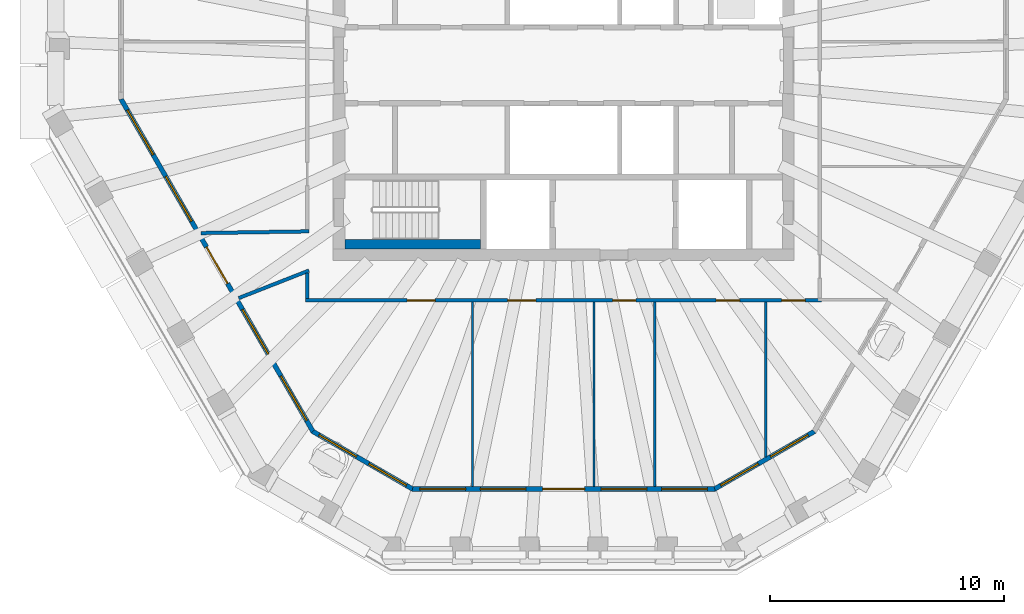
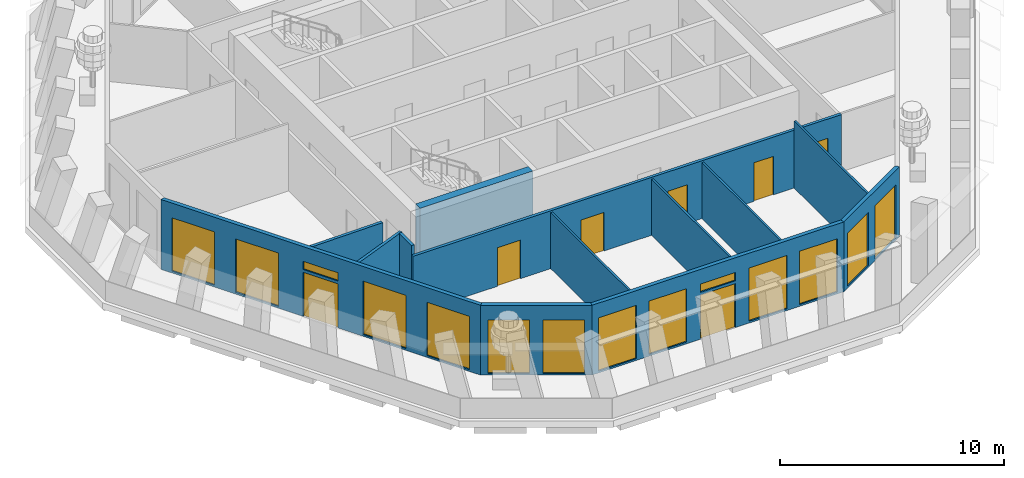
# One storey, part 3 of 11: 14 windows, 13 walls, 7 doors, 21 openings.
"""IFC4 building model written with IfcOpenShell, lengths in metres."""

from ifc_helpers import new_model, si_unit, direction, frame, frame_2d, origin, place, context, subcontext, project, spatial, polyline, rectangle, outline, extrude, material, layer, layer_set, type_object, element, fill, save


model = new_model("IFC4")

# Units and contexts
model_context = context("Model", 3, precision=1e-05, world=origin(), true_north=direction((0.0, 1.0)))
body_context = subcontext(model_context, "Body", "Model", "MODEL_VIEW")
ifc_project = project(units=[si_unit("LENGTHUNIT", "METRE"), si_unit("AREAUNIT", "SQUARE_METRE"), si_unit("VOLUMEUNIT", "CUBIC_METRE"), si_unit("PLANEANGLEUNIT", "RADIAN"), si_unit("MASSUNIT", "GRAM", prefix="KILO")], contexts=[model_context])

# Site, building, storey
site_placement = place(None, origin())
site = spatial("IfcSite", under=ifc_project, at=site_placement, CompositionType="ELEMENT")
building_placement = place(site_placement, origin())
building = spatial("IfcBuilding", under=site, at=building_placement, Name="Frailejon Research Tower", CompositionType="ELEMENT")
storey_placement = place(building_placement, frame((0.0, 0.0, 340.60009765625)))
storey = spatial("IfcBuildingStorey", under=building, at=storey_placement, Name="L76", CompositionType="ELEMENT", Elevation=340.60009765625)

# Wall
ifc_material_1 = material(Name="Gypsum board and masonry partition", Category="masonry")
ifc_layer_1 = layer(ifc_material_1, 0.14990234375)
ifc_layer_set_1 = layer_set([ifc_layer_1], Name="Corridor wall EI 60, gypsum on steel studs 150")
wall_type_1 = type_object("IfcWallType", Name="Corridor wall EI 60, gypsum on steel studs 150", PredefinedType="PARTITIONING", material=ifc_layer_set_1)
wall_1_placement = place(storey_placement, frame((-10.949951171875, -9.97509765625, 0.0), z_axis=(0.0, 0.0, 1.0), x_axis=(0.0, 1.0, 0.0)))
element("IfcWall", 1, at=wall_1_placement, inside=storey, type_object=wall_type_1, Name="T:IW:L76:006", PredefinedType="PARTITIONING", context=body_context, shape_type="SweptSolid", body=[
    extrude(rectangle(XDim=1.10009765625, YDim=0.14990234375, at=frame_2d((0.550048828125, 0.0))), origin(), (0.0, 0.0, 1.0), 3.64990234375),
])

# Wall, openings, doors
wall_2_placement = place(storey_placement, frame((-11.02490234375, -10.050048828125, 0.0), z_axis=(0.0, 0.0, 1.0), x_axis=(1.0, 0.0, 0.0)))
wall_2 = element("IfcWall", 2, at=wall_2_placement, inside=storey, type_object=wall_type_1, Name="T:IW:L76:008", PredefinedType="PARTITIONING", context=body_context, shape_type="SweptSolid", body=[
    extrude(rectangle(XDim=22.0498046875, YDim=0.14990234375, at=frame_2d((11.02490234375, 0.0))), origin(), (0.0, 0.0, 1.0), 3.14990234375),
])
opening_1_placement = place(wall_2_placement, frame((4.3369140625, 0.0, 0.0)))
opening_1 = element("IfcOpeningElement", 3, at=opening_1_placement, cuts=wall_2, Name="Opening D2424", PredefinedType="OPENING", context=body_context, shape_type="SweptSolid", body=[
    extrude(rectangle(XDim=1.199951171875, YDim=2.10009765625, at=frame_2d((0.60009765625, 1.050048828125))), frame((0.0, 0.0849609375, 0.0), z_axis=(0.0, -1.0, 0.0), x_axis=(1.0, 0.0, 0.0)), (0.0, 0.0, 1.0), 0.169921875),
])
opening_2_placement = place(wall_2_placement, frame((8.635498046875, 0.0, 0.0)))
opening_2 = element("IfcOpeningElement", 4, at=opening_2_placement, cuts=wall_2, Name="Opening D2425", PredefinedType="OPENING", context=body_context, shape_type="SweptSolid", body=[
    extrude(rectangle(XDim=1.199951171875, YDim=2.10009765625, at=frame_2d((0.60009765625, 1.050048828125))), frame((0.0, 0.0849609375, 0.0), z_axis=(0.0, -1.0, 0.0), x_axis=(1.0, 0.0, 0.0)), (0.0, 0.0, 1.0), 0.169921875),
])
opening_3_placement = place(wall_2_placement, frame((13.118408203125, 0.0, 0.0)))
opening_3 = element("IfcOpeningElement", 5, at=opening_3_placement, cuts=wall_2, Name="Opening D2426", PredefinedType="OPENING", context=body_context, shape_type="SweptSolid", body=[
    extrude(rectangle(XDim=1.0, YDim=2.10009765625, at=frame_2d((0.5, 1.050048828125))), frame((0.0, 0.0849609375, 0.0), z_axis=(0.0, -1.0, 0.0), x_axis=(1.0, 0.0, 0.0)), (0.0, 0.0, 1.0), 0.169921875),
])
opening_4_placement = place(wall_2_placement, frame((17.54736328125, 0.0, 0.0)))
opening_4 = element("IfcOpeningElement", 6, at=opening_4_placement, cuts=wall_2, Name="Opening D2427", PredefinedType="OPENING", context=body_context, shape_type="SweptSolid", body=[
    extrude(rectangle(XDim=1.0, YDim=2.10009765625, at=frame_2d((0.5, 1.050048828125))), frame((0.0, 0.0849609375, 0.0), z_axis=(0.0, -1.0, 0.0), x_axis=(1.0, 0.0, 0.0)), (0.0, 0.0, 1.0), 0.169921875),
])
opening_5_placement = place(wall_2_placement, frame((20.345703125, 0.0, 0.0)))
opening_5 = element("IfcOpeningElement", 7, at=opening_5_placement, cuts=wall_2, Name="Opening D2428", PredefinedType="OPENING", context=body_context, shape_type="SweptSolid", body=[
    extrude(rectangle(XDim=1.0, YDim=2.10009765625, at=frame_2d((0.5, 1.050048828125))), frame((0.0, 0.0849609375, 0.0), z_axis=(0.0, -1.0, 0.0), x_axis=(1.0, 0.0, 0.0)), (0.0, 0.0, 1.0), 0.169921875),
])
ifc_material_2 = material(Name="Timber door leaf", Category="wood")
door_type_1 = type_object("IfcDoorType", Name="Door single leaf, timber, steel frame 1000", OperationType="NOTDEFINED", PredefinedType="DOOR", material=ifc_material_2)
door_1_placement = place(opening_3_placement, origin())
door_1 = element("IfcDoor", 8, at=door_1_placement, inside=storey, type_object=door_type_1, Name="D2426", OperationType="SINGLE_SWING_LEFT", OverallHeight=2.10009765625, OverallWidth=1.0, PredefinedType="DOOR", context=body_context, shape_type="SweptSolid", body=[
    extrude(rectangle(XDim=1.0, YDim=2.10009765625, at=frame_2d((0.5, 1.050048828125))), frame((0.0, 0.02490234375, 0.0), z_axis=(0.0, -1.0, 0.0), x_axis=(1.0, 0.0, 0.0)), (0.0, 0.0, 1.0), 0.050048828125),
])
fill(opening_3, door_1)
door_2_placement = place(opening_4_placement, origin())
door_2 = element("IfcDoor", 9, at=door_2_placement, inside=storey, type_object=door_type_1, Name="D2427", OperationType="SINGLE_SWING_LEFT", OverallHeight=2.10009765625, OverallWidth=1.0, PredefinedType="DOOR", context=body_context, shape_type="SweptSolid", body=[
    extrude(rectangle(XDim=1.0, YDim=2.10009765625, at=frame_2d((0.5, 1.050048828125))), frame((0.0, 0.02490234375, 0.0), z_axis=(0.0, -1.0, 0.0), x_axis=(1.0, 0.0, 0.0)), (0.0, 0.0, 1.0), 0.050048828125),
])
fill(opening_4, door_2)
door_3_placement = place(opening_5_placement, origin())
door_3 = element("IfcDoor", 10, at=door_3_placement, inside=storey, type_object=door_type_1, Name="D2428", OperationType="SINGLE_SWING_RIGHT", OverallHeight=2.10009765625, OverallWidth=1.0, PredefinedType="DOOR", context=body_context, shape_type="SweptSolid", body=[
    extrude(rectangle(XDim=1.0, YDim=2.10009765625, at=frame_2d((0.5, 1.050048828125))), frame((0.0, 0.02490234375, 0.0), z_axis=(0.0, -1.0, 0.0), x_axis=(1.0, 0.0, 0.0)), (0.0, 0.0, 1.0), 0.050048828125),
])
fill(opening_5, door_3)
ifc_material_3 = material(Name="Timber door leaf", Category="wood")
door_type_2 = type_object("IfcDoorType", Name="Door single leaf, timber, steel frame 1200", OperationType="NOTDEFINED", PredefinedType="DOOR", material=ifc_material_3)
door_4_placement = place(opening_1_placement, origin())
door_4 = element("IfcDoor", 11, at=door_4_placement, inside=storey, type_object=door_type_2, Name="D2424", OperationType="DOUBLE_DOOR_SINGLE_SWING", OverallHeight=2.10009765625, OverallWidth=1.199951171875, PredefinedType="DOOR", context=body_context, shape_type="SweptSolid", body=[
    extrude(rectangle(XDim=1.199951171875, YDim=2.10009765625, at=frame_2d((0.60009765625, 1.050048828125))), frame((0.0, 0.02490234375, 0.0), z_axis=(0.0, -1.0, 0.0), x_axis=(1.0, 0.0, 0.0)), (0.0, 0.0, 1.0), 0.050048828125),
])
fill(opening_1, door_4)
door_5_placement = place(opening_2_placement, origin())
door_5 = element("IfcDoor", 12, at=door_5_placement, inside=storey, type_object=door_type_2, Name="D2425", OperationType="DOUBLE_DOOR_SINGLE_SWING", OverallHeight=2.10009765625, OverallWidth=1.199951171875, PredefinedType="DOOR", context=body_context, shape_type="SweptSolid", body=[
    extrude(rectangle(XDim=1.199951171875, YDim=2.10009765625, at=frame_2d((0.60009765625, 1.050048828125))), frame((0.0, 0.02490234375, 0.0), z_axis=(0.0, -1.0, 0.0), x_axis=(1.0, 0.0, 0.0)), (0.0, 0.0, 1.0), 0.050048828125),
])
fill(opening_2, door_5)

# Walls
wall_3_placement = place(storey_placement, frame((-15.4892578125, -7.171875, 0.0), z_axis=(0.0, 0.0, 1.0), x_axis=(0.99987488561, 0.015818126497, 0.0)))
element("IfcWall", 13, at=wall_3_placement, inside=storey, type_object=wall_type_1, Name="T:IW:L76:009", PredefinedType="PARTITIONING", context=body_context, shape_type="SweptSolid", body=[
    extrude(rectangle(XDim=4.61474609375, YDim=0.14990234375, at=frame_2d((2.307373046875, 0.0))), origin(), (0.0, 0.0, 1.0), 3.14990234375),
])
wall_4_placement = place(storey_placement, frame((-13.884765625, -9.95068359375, 0.0), z_axis=(0.0, 0.0, 1.0), x_axis=(0.931005964826, 0.365003963621, 0.0)))
element("IfcWall", 14, at=wall_4_placement, inside=storey, type_object=wall_type_1, Name="T:IW:L76:010", PredefinedType="PARTITIONING", context=body_context, shape_type="SweptSolid", body=[
    extrude(rectangle(XDim=3.227294921875, YDim=0.14990234375, at=frame_2d((1.61376953125, 0.0))), origin(), (0.0, 0.0, 1.0), 3.64990234375),
])
ifc_material_4 = material(Name="Gypsum board and masonry partition", Category="masonry")
ifc_layer_2 = layer(ifc_material_4, 0.10009765625)
ifc_layer_set_2 = layer_set([ifc_layer_2], Name="Partition, gypsum on steel studs 100")
wall_type_2 = type_object("IfcWallType", Name="Partition, gypsum on steel studs 100", PredefinedType="PARTITIONING", material=ifc_layer_set_2)
for number, where, z_axis, x_axis, name in (
    (15, (-3.889892578125, -18.005615234375, 0.0), (0.0, 0.0, 1.0), (0.0, 1.0, 0.0), "T:IW:L76:020"),
    (16, (1.296630859375, -18.005615234375, 0.0), (0.0, 0.0, 1.0), (0.0, 1.0, 0.0), "T:IW:L76:021"),
    (17, (3.889892578125, -18.005615234375, 0.0), (0.0, 0.0, 1.0), (0.0, 1.0, 0.0), "T:IW:L76:022"),
):
    element("IfcWall", number, at=place(storey_placement, frame(where, z_axis=z_axis, x_axis=x_axis)), inside=storey, type_object=wall_type_2, Name=name, PredefinedType="PARTITIONING", context=body_context, shape_type="SweptSolid", body=[
        extrude(rectangle(XDim=7.880615234375, YDim=0.10009765625, at=frame_2d((3.9404296875, 0.0))), origin(), (0.0, 0.0, 1.0), 3.0498046875),
    ])
wall_5_placement = place(storey_placement, frame((8.63330078125, -16.7333984375, 0.0), z_axis=(0.0, 0.0, 1.0), x_axis=(0.0, 1.0, 0.0)))
element("IfcWall", 18, at=wall_5_placement, inside=storey, type_object=wall_type_2, Name="T:IW:L76:023", PredefinedType="PARTITIONING", context=body_context, shape_type="SweptSolid", body=[
    extrude(rectangle(XDim=6.6083984375, YDim=0.10009765625, at=frame_2d((3.30419921875, 0.0))), origin(), (0.0, 0.0, 1.0), 3.64990234375),
])
ifc_material_5 = material(Name="Concrete C50/60", Category="concrete")
ifc_layer_3 = layer(ifc_material_5, 0.39990234375)
ifc_layer_set_3 = layer_set([ifc_layer_3], Name="Shaft wall 400 C50/60")
wall_type_3 = type_object("IfcWallType", Name="Shaft wall 400 C50/60", PredefinedType="SOLIDWALL", material=ifc_layer_set_3)
wall_6_placement = place(storey_placement, frame((-9.35009765625, -7.64990234375, 0.0), z_axis=(0.0, 0.0, 1.0), x_axis=(1.0, 0.0, 0.0)))
element("IfcWall", 19, at=wall_6_placement, inside=storey, type_object=wall_type_3, Name="Shaft wall", PredefinedType="SOLIDWALL", context=body_context, shape_type="SweptSolid", body=[
    extrude(rectangle(XDim=5.800048828125, YDim=0.39990234375, at=frame_2d((2.89990234375, 0.0))), origin(), (0.0, 0.0, 1.0), 3.7998046875),
])

# Wall, openings, door, windows
ifc_material_6 = material(Name="Concrete C40/50 precast window wall panel", Category="concrete")
ifc_layer_4 = layer(ifc_material_6, 0.199951171875)
ifc_layer_set_4 = layer_set([ifc_layer_4], Name="Window wall 200")
wall_type_4 = type_object("IfcWallType", Name="Window wall 200", PredefinedType="SOLIDWALL", material=ifc_layer_set_4)
wall_7_placement = place(storey_placement, frame((-18.908203125, -1.4501953125, 0.0), z_axis=(0.0, 0.0, 1.0), x_axis=(0.500001715796, -0.866024413167, 0.0)))
wall_7 = element("IfcWall", 20, at=wall_7_placement, inside=storey, type_object=wall_type_4, Name="Exterior wall L76", PredefinedType="SOLIDWALL", context=body_context, shape_type="SweptSolid", body=[
    extrude(outline(polyline([(-0.02685546875, -0.10009765625), (1.001220703125, -0.10009765625), (2.029296875, -0.10009765625), (3.0576171875, -0.10009765625), (4.085693359375, -0.10009765625), (5.11376953125, -0.10009765625), (6.14208984375, -0.10009765625), (7.170166015625, -0.10009765625), (8.1982421875, -0.10009765625), (9.226318359375, -0.10009765625), (10.25439453125, -0.10009765625), (11.28271484375, -0.10009765625), (12.310791015625, -0.10009765625), (13.3388671875, -0.10009765625), (14.3671875, -0.10009765625), (15.395263671875, -0.10009765625), (16.42333984375, -0.10009765625), (16.36962890625, 0.10009765625), (15.34814453125, 0.10009765625), (14.32666015625, 0.10009765625), (13.305419921875, 0.10009765625), (12.283935546875, 0.10009765625), (11.262451171875, 0.10009765625), (10.2412109375, 0.10009765625), (9.2197265625, 0.10009765625), (8.1982421875, 0.10009765625), (7.1767578125, 0.10009765625), (6.1552734375, 0.10009765625), (5.134033203125, 0.10009765625), (4.112548828125, 0.10009765625), (3.091064453125, 0.10009765625), (2.06982421875, 0.10009765625), (1.04833984375, 0.10009765625), (0.02685546875, 0.10009765625), (-0.02685546875, -0.10009765625)])), origin(), (0.0, 0.0, 1.0), 3.7998046875),
])
opening_6_placement = place(wall_7_placement, frame((0.53955078125, 0.0, 0.10009765625)))
opening_6 = element("IfcOpeningElement", 21, at=opening_6_placement, cuts=wall_7, Name="Opening W28", PredefinedType="OPENING", context=body_context, shape_type="SweptSolid", body=[
    extrude(rectangle(XDim=2.199951171875, YDim=2.89990234375, at=frame_2d((1.10009765625, 1.449951171875))), frame((0.0, 0.10986328125, 0.0), z_axis=(0.0, -1.0, 0.0), x_axis=(1.0, 0.0, 0.0)), (0.0, 0.0, 1.0), 0.219970703125),
])
opening_7_placement = place(wall_7_placement, frame((3.81884765625, 0.0, 0.10009765625)))
opening_7 = element("IfcOpeningElement", 22, at=opening_7_placement, cuts=wall_7, Name="Opening W28", PredefinedType="OPENING", context=body_context, shape_type="SweptSolid", body=[
    extrude(rectangle(XDim=2.199951171875, YDim=2.89990234375, at=frame_2d((1.10009765625, 1.449951171875))), frame((0.0, 0.10986328125, 0.0), z_axis=(0.0, -1.0, 0.0), x_axis=(1.0, 0.0, 0.0)), (0.0, 0.0, 1.0), 0.219970703125),
])
opening_8_placement = place(wall_7_placement, frame((7.298095703125, 0.0, 0.0)))
opening_8 = element("IfcOpeningElement", 23, at=opening_8_placement, cuts=wall_7, Name="Opening LG76-4", PredefinedType="OPENING", context=body_context, shape_type="SweptSolid", body=[
    extrude(rectangle(XDim=1.800048828125, YDim=2.39990234375, at=frame_2d((0.89990234375, 1.199951171875))), frame((0.0, 0.10986328125, 0.0), z_axis=(0.0, -1.0, 0.0), x_axis=(1.0, 0.0, 0.0)), (0.0, 0.0, 1.0), 0.219970703125),
])
opening_9_placement = place(wall_7_placement, frame((7.298095703125, 0.0, 2.550048828125)))
opening_9 = element("IfcOpeningElement", 24, at=opening_9_placement, cuts=wall_7, Name="Opening W1", PredefinedType="OPENING", context=body_context, shape_type="SweptSolid", body=[
    extrude(rectangle(XDim=1.800048828125, YDim=0.449951171875, at=frame_2d((0.89990234375, 0.22509765625))), frame((0.0, 0.10986328125, 0.0), z_axis=(0.0, -1.0, 0.0), x_axis=(1.0, 0.0, 0.0)), (0.0, 0.0, 1.0), 0.219970703125),
])
opening_10_placement = place(wall_7_placement, frame((10.37744140625, 0.0, 0.10009765625)))
opening_10 = element("IfcOpeningElement", 25, at=opening_10_placement, cuts=wall_7, Name="Opening W28", PredefinedType="OPENING", context=body_context, shape_type="SweptSolid", body=[
    extrude(rectangle(XDim=2.199951171875, YDim=2.89990234375, at=frame_2d((1.10009765625, 1.449951171875))), frame((0.0, 0.10986328125, 0.0), z_axis=(0.0, -1.0, 0.0), x_axis=(1.0, 0.0, 0.0)), (0.0, 0.0, 1.0), 0.219970703125),
])
opening_11_placement = place(wall_7_placement, frame((13.65673828125, 0.0, 0.10009765625)))
opening_11 = element("IfcOpeningElement", 26, at=opening_11_placement, cuts=wall_7, Name="Opening W28", PredefinedType="OPENING", context=body_context, shape_type="SweptSolid", body=[
    extrude(rectangle(XDim=2.199951171875, YDim=2.89990234375, at=frame_2d((1.10009765625, 1.449951171875))), frame((0.0, 0.10986328125, 0.0), z_axis=(0.0, -1.0, 0.0), x_axis=(1.0, 0.0, 0.0)), (0.0, 0.0, 1.0), 0.219970703125),
])
ifc_material_7 = material(Name="Aluminium framed glazed door leaf", Category="aluminium")
door_type_3 = type_object("IfcDoorType", Name="Loggia door 1800x2400", OperationType="DOUBLE_DOOR_SINGLE_SWING", PredefinedType="DOOR", material=ifc_material_7)
door_6_placement = place(opening_8_placement, origin())
door_6 = element("IfcDoor", 27, at=door_6_placement, inside=storey, type_object=door_type_3, Name="Door LG76-4", OperationType="DOUBLE_DOOR_SINGLE_SWING", OverallHeight=2.39990234375, OverallWidth=1.800048828125, PredefinedType="DOOR", context=body_context, shape_type="SweptSolid", body=[
    extrude(rectangle(XDim=1.800048828125, YDim=2.39990234375, at=frame_2d((0.89990234375, 1.199951171875))), frame((0.0, 0.02490234375, 0.0), z_axis=(0.0, -1.0, 0.0), x_axis=(1.0, 0.0, 0.0)), (0.0, 0.0, 1.0), 0.050048828125),
])
fill(opening_8, door_6)
ifc_material_8 = material(Name="Aluminium framed double glazing", Category="aluminium")
window_type_1 = type_object("IfcWindowType", Name="Window 1800x450", PartitioningType="SINGLE_PANEL", PredefinedType="WINDOW", material=ifc_material_8)
window_1_placement = place(opening_9_placement, origin())
window_1 = element("IfcWindow", 28, at=window_1_placement, inside=storey, type_object=window_type_1, Name="Window L76", OverallHeight=0.449951171875, OverallWidth=1.800048828125, PartitioningType="SINGLE_PANEL", PredefinedType="WINDOW", context=body_context, shape_type="SweptSolid", body=[
    extrude(rectangle(XDim=1.800048828125, YDim=0.449951171875, at=frame_2d((0.89990234375, 0.22509765625))), frame((0.0, 0.030029296875, 0.0), z_axis=(0.0, -1.0, 0.0), x_axis=(1.0, 0.0, 0.0)), (0.0, 0.0, 1.0), 0.06005859375),
])
fill(opening_9, window_1)
ifc_material_9 = material(Name="Aluminium framed double glazing", Category="aluminium")
window_type_2 = type_object("IfcWindowType", Name="Window 2200x2900", PartitioningType="SINGLE_PANEL", PredefinedType="WINDOW", material=ifc_material_9)
window_2_placement = place(opening_6_placement, origin())
window_2 = element("IfcWindow", 29, at=window_2_placement, inside=storey, type_object=window_type_2, Name="Window L76", OverallHeight=2.89990234375, OverallWidth=2.199951171875, PartitioningType="SINGLE_PANEL", PredefinedType="WINDOW", context=body_context, shape_type="SweptSolid", body=[
    extrude(rectangle(XDim=2.199951171875, YDim=2.89990234375, at=frame_2d((1.10009765625, 1.449951171875))), frame((0.0, 0.030029296875, 0.0), z_axis=(0.0, -1.0, 0.0), x_axis=(1.0, 0.0, 0.0)), (0.0, 0.0, 1.0), 0.06005859375),
])
fill(opening_6, window_2)
window_3_placement = place(opening_7_placement, origin())
window_3 = element("IfcWindow", 30, at=window_3_placement, inside=storey, type_object=window_type_2, Name="Window L76", OverallHeight=2.89990234375, OverallWidth=2.199951171875, PartitioningType="SINGLE_PANEL", PredefinedType="WINDOW", context=body_context, shape_type="SweptSolid", body=[
    extrude(rectangle(XDim=2.199951171875, YDim=2.89990234375, at=frame_2d((1.10009765625, 1.449951171875))), frame((0.0, 0.030029296875, 0.0), z_axis=(0.0, -1.0, 0.0), x_axis=(1.0, 0.0, 0.0)), (0.0, 0.0, 1.0), 0.06005859375),
])
fill(opening_7, window_3)
window_4_placement = place(opening_10_placement, origin())
window_4 = element("IfcWindow", 31, at=window_4_placement, inside=storey, type_object=window_type_2, Name="Window L76", OverallHeight=2.89990234375, OverallWidth=2.199951171875, PartitioningType="SINGLE_PANEL", PredefinedType="WINDOW", context=body_context, shape_type="SweptSolid", body=[
    extrude(rectangle(XDim=2.199951171875, YDim=2.89990234375, at=frame_2d((1.10009765625, 1.449951171875))), frame((0.0, 0.030029296875, 0.0), z_axis=(0.0, -1.0, 0.0), x_axis=(1.0, 0.0, 0.0)), (0.0, 0.0, 1.0), 0.06005859375),
])
fill(opening_10, window_4)
window_5_placement = place(opening_11_placement, origin())
window_5 = element("IfcWindow", 32, at=window_5_placement, inside=storey, type_object=window_type_2, Name="Window L76", OverallHeight=2.89990234375, OverallWidth=2.199951171875, PartitioningType="SINGLE_PANEL", PredefinedType="WINDOW", context=body_context, shape_type="SweptSolid", body=[
    extrude(rectangle(XDim=2.199951171875, YDim=2.89990234375, at=frame_2d((1.10009765625, 1.449951171875))), frame((0.0, 0.030029296875, 0.0), z_axis=(0.0, -1.0, 0.0), x_axis=(1.0, 0.0, 0.0)), (0.0, 0.0, 1.0), 0.06005859375),
])
fill(opening_11, window_5)

# Wall, openings, windows
wall_8_placement = place(storey_placement, frame((-10.7099609375, -15.64990234375, 0.0), z_axis=(0.0, 0.0, 1.0), x_axis=(0.866029143232, -0.499993523031, 0.0)))
wall_8 = element("IfcWall", 33, at=wall_8_placement, inside=storey, type_object=wall_type_4, Name="Exterior wall L76", PredefinedType="SOLIDWALL", context=body_context, shape_type="SweptSolid", body=[
    extrude(outline(polyline([(-0.02685546875, -0.10009765625), (1.21435546875, -0.10009765625), (2.455810546875, -0.10009765625), (3.697265625, -0.10009765625), (4.9384765625, -0.10009765625), (4.884765625, 0.10009765625), (3.67041015625, 0.10009765625), (2.455810546875, 0.10009765625), (1.2412109375, 0.10009765625), (0.02685546875, 0.10009765625), (-0.02685546875, -0.10009765625)])), origin(), (0.0, 0.0, 1.0), 3.7998046875),
])
opening_12_placement = place(wall_8_placement, frame((0.302978515625, 0.0, 0.10009765625)))
opening_12 = element("IfcOpeningElement", 34, at=opening_12_placement, cuts=wall_8, Name="Opening W26", PredefinedType="OPENING", context=body_context, shape_type="SweptSolid", body=[
    extrude(rectangle(XDim=1.85009765625, YDim=2.89990234375, at=frame_2d((0.925048828125, 1.449951171875))), frame((0.0, 0.10986328125, 0.0), z_axis=(0.0, -1.0, 0.0), x_axis=(1.0, 0.0, 0.0)), (0.0, 0.0, 1.0), 0.219970703125),
])
opening_13_placement = place(wall_8_placement, frame((2.7587890625, 0.0, 0.10009765625)))
opening_13 = element("IfcOpeningElement", 35, at=opening_13_placement, cuts=wall_8, Name="Opening W26", PredefinedType="OPENING", context=body_context, shape_type="SweptSolid", body=[
    extrude(rectangle(XDim=1.85009765625, YDim=2.89990234375, at=frame_2d((0.925048828125, 1.449951171875))), frame((0.0, 0.10986328125, 0.0), z_axis=(0.0, -1.0, 0.0), x_axis=(1.0, 0.0, 0.0)), (0.0, 0.0, 1.0), 0.219970703125),
])
ifc_material_10 = material(Name="Aluminium framed double glazing", Category="aluminium")
window_type_3 = type_object("IfcWindowType", Name="Window 1850x2900", PartitioningType="SINGLE_PANEL", PredefinedType="WINDOW", material=ifc_material_10)
window_6_placement = place(opening_12_placement, origin())
window_6 = element("IfcWindow", 36, at=window_6_placement, inside=storey, type_object=window_type_3, Name="Window L76", OverallHeight=2.89990234375, OverallWidth=1.85009765625, PartitioningType="SINGLE_PANEL", PredefinedType="WINDOW", context=body_context, shape_type="SweptSolid", body=[
    extrude(rectangle(XDim=1.85009765625, YDim=2.89990234375, at=frame_2d((0.925048828125, 1.449951171875))), frame((0.0, 0.030029296875, 0.0), z_axis=(0.0, -1.0, 0.0), x_axis=(1.0, 0.0, 0.0)), (0.0, 0.0, 1.0), 0.06005859375),
])
fill(opening_12, window_6)
window_7_placement = place(opening_13_placement, origin())
window_7 = element("IfcWindow", 37, at=window_7_placement, inside=storey, type_object=window_type_3, Name="Window L76", OverallHeight=2.89990234375, OverallWidth=1.85009765625, PartitioningType="SINGLE_PANEL", PredefinedType="WINDOW", context=body_context, shape_type="SweptSolid", body=[
    extrude(rectangle(XDim=1.85009765625, YDim=2.89990234375, at=frame_2d((0.925048828125, 1.449951171875))), frame((0.0, 0.030029296875, 0.0), z_axis=(0.0, -1.0, 0.0), x_axis=(1.0, 0.0, 0.0)), (0.0, 0.0, 1.0), 0.06005859375),
])
fill(opening_13, window_7)

# Wall, openings, door, windows
wall_9_placement = place(storey_placement, frame((-6.456298828125, -18.105712890625, 0.0), z_axis=(0.0, 0.0, 1.0), x_axis=(1.0, 0.0, 0.0)))
wall_9 = element("IfcWall", 38, at=wall_9_placement, inside=storey, type_object=wall_type_4, Name="Exterior wall L76", PredefinedType="SOLIDWALL", context=body_context, shape_type="SweptSolid", body=[
    extrude(outline(polyline([(-0.02685546875, -0.10009765625), (1.0537109375, -0.10009765625), (2.13427734375, -0.10009765625), (3.21484375, -0.10009765625), (4.295166015625, -0.10009765625), (5.375732421875, -0.10009765625), (6.456298828125, -0.10009765625), (7.536865234375, -0.10009765625), (8.617431640625, -0.10009765625), (9.69775390625, -0.10009765625), (10.7783203125, -0.10009765625), (11.85888671875, -0.10009765625), (12.939453125, -0.10009765625), (12.8857421875, 0.10009765625), (11.814208984375, 0.10009765625), (10.74267578125, 0.10009765625), (9.6708984375, 0.10009765625), (8.599365234375, 0.10009765625), (7.52783203125, 0.10009765625), (6.456298828125, 0.10009765625), (5.384765625, 0.10009765625), (4.313232421875, 0.10009765625), (3.24169921875, 0.10009765625), (2.169921875, 0.10009765625), (1.098388671875, 0.10009765625), (0.02685546875, 0.10009765625), (-0.02685546875, -0.10009765625)])), origin(), (0.0, 0.0, 1.0), 3.7998046875),
])
opening_14_placement = place(wall_9_placement, frame((0.31640625, 0.0, 0.10009765625)))
opening_14 = element("IfcOpeningElement", 39, at=opening_14_placement, cuts=wall_9, Name="Opening W27", PredefinedType="OPENING", context=body_context, shape_type="SweptSolid", body=[
    extrude(rectangle(XDim=1.949951171875, YDim=2.89990234375, at=frame_2d((0.97509765625, 1.449951171875))), frame((0.0, 0.10986328125, 0.0), z_axis=(0.0, -1.0, 0.0), x_axis=(1.0, 0.0, 0.0)), (0.0, 0.0, 1.0), 0.219970703125),
])
opening_15_placement = place(wall_9_placement, frame((2.898681640625, 0.0, 0.10009765625)))
opening_15 = element("IfcOpeningElement", 40, at=opening_15_placement, cuts=wall_9, Name="Opening W27", PredefinedType="OPENING", context=body_context, shape_type="SweptSolid", body=[
    extrude(rectangle(XDim=1.949951171875, YDim=2.89990234375, at=frame_2d((0.97509765625, 1.449951171875))), frame((0.0, 0.10986328125, 0.0), z_axis=(0.0, -1.0, 0.0), x_axis=(1.0, 0.0, 0.0)), (0.0, 0.0, 1.0), 0.219970703125),
])
opening_16_placement = place(wall_9_placement, frame((5.556396484375, 0.0, 0.0)))
opening_16 = element("IfcOpeningElement", 41, at=opening_16_placement, cuts=wall_9, Name="Opening LG76-5", PredefinedType="OPENING", context=body_context, shape_type="SweptSolid", body=[
    extrude(rectangle(XDim=1.800048828125, YDim=2.39990234375, at=frame_2d((0.89990234375, 1.199951171875))), frame((0.0, 0.10986328125, 0.0), z_axis=(0.0, -1.0, 0.0), x_axis=(1.0, 0.0, 0.0)), (0.0, 0.0, 1.0), 0.219970703125),
])
opening_17_placement = place(wall_9_placement, frame((5.556396484375, 0.0, 2.550048828125)))
opening_17 = element("IfcOpeningElement", 42, at=opening_17_placement, cuts=wall_9, Name="Opening W1", PredefinedType="OPENING", context=body_context, shape_type="SweptSolid", body=[
    extrude(rectangle(XDim=1.800048828125, YDim=0.449951171875, at=frame_2d((0.89990234375, 0.22509765625))), frame((0.0, 0.10986328125, 0.0), z_axis=(0.0, -1.0, 0.0), x_axis=(1.0, 0.0, 0.0)), (0.0, 0.0, 1.0), 0.219970703125),
])
opening_18_placement = place(wall_9_placement, frame((8.06396484375, 0.0, 0.10009765625)))
opening_18 = element("IfcOpeningElement", 43, at=opening_18_placement, cuts=wall_9, Name="Opening W27", PredefinedType="OPENING", context=body_context, shape_type="SweptSolid", body=[
    extrude(rectangle(XDim=1.949951171875, YDim=2.89990234375, at=frame_2d((0.97509765625, 1.449951171875))), frame((0.0, 0.10986328125, 0.0), z_axis=(0.0, -1.0, 0.0), x_axis=(1.0, 0.0, 0.0)), (0.0, 0.0, 1.0), 0.219970703125),
])
opening_19_placement = place(wall_9_placement, frame((10.646484375, 0.0, 0.10009765625)))
opening_19 = element("IfcOpeningElement", 44, at=opening_19_placement, cuts=wall_9, Name="Opening W27", PredefinedType="OPENING", context=body_context, shape_type="SweptSolid", body=[
    extrude(rectangle(XDim=1.949951171875, YDim=2.89990234375, at=frame_2d((0.97509765625, 1.449951171875))), frame((0.0, 0.10986328125, 0.0), z_axis=(0.0, -1.0, 0.0), x_axis=(1.0, 0.0, 0.0)), (0.0, 0.0, 1.0), 0.219970703125),
])
door_7_placement = place(opening_16_placement, origin())
door_7 = element("IfcDoor", 45, at=door_7_placement, inside=storey, type_object=door_type_3, Name="Door LG76-5", OperationType="DOUBLE_DOOR_SINGLE_SWING", OverallHeight=2.39990234375, OverallWidth=1.800048828125, PredefinedType="DOOR", context=body_context, shape_type="SweptSolid", body=[
    extrude(rectangle(XDim=1.800048828125, YDim=2.39990234375, at=frame_2d((0.89990234375, 1.199951171875))), frame((0.0, 0.02490234375, 0.0), z_axis=(0.0, -1.0, 0.0), x_axis=(1.0, 0.0, 0.0)), (0.0, 0.0, 1.0), 0.050048828125),
])
fill(opening_16, door_7)
window_8_placement = place(opening_17_placement, origin())
window_8 = element("IfcWindow", 46, at=window_8_placement, inside=storey, type_object=window_type_1, Name="Window L76", OverallHeight=0.449951171875, OverallWidth=1.800048828125, PartitioningType="SINGLE_PANEL", PredefinedType="WINDOW", context=body_context, shape_type="SweptSolid", body=[
    extrude(rectangle(XDim=1.800048828125, YDim=0.449951171875, at=frame_2d((0.89990234375, 0.22509765625))), frame((0.0, 0.030029296875, 0.0), z_axis=(0.0, -1.0, 0.0), x_axis=(1.0, 0.0, 0.0)), (0.0, 0.0, 1.0), 0.06005859375),
])
fill(opening_17, window_8)
ifc_material_11 = material(Name="Aluminium framed double glazing", Category="aluminium")
window_type_4 = type_object("IfcWindowType", Name="Window 1950x2900", PartitioningType="SINGLE_PANEL", PredefinedType="WINDOW", material=ifc_material_11)
window_9_placement = place(opening_14_placement, origin())
window_9 = element("IfcWindow", 47, at=window_9_placement, inside=storey, type_object=window_type_4, Name="Window L76", OverallHeight=2.89990234375, OverallWidth=1.949951171875, PartitioningType="SINGLE_PANEL", PredefinedType="WINDOW", context=body_context, shape_type="SweptSolid", body=[
    extrude(rectangle(XDim=1.949951171875, YDim=2.89990234375, at=frame_2d((0.97509765625, 1.449951171875))), frame((0.0, 0.030029296875, 0.0), z_axis=(0.0, -1.0, 0.0), x_axis=(1.0, 0.0, 0.0)), (0.0, 0.0, 1.0), 0.06005859375),
])
fill(opening_14, window_9)
window_10_placement = place(opening_15_placement, origin())
window_10 = element("IfcWindow", 48, at=window_10_placement, inside=storey, type_object=window_type_4, Name="Window L76", OverallHeight=2.89990234375, OverallWidth=1.949951171875, PartitioningType="SINGLE_PANEL", PredefinedType="WINDOW", context=body_context, shape_type="SweptSolid", body=[
    extrude(rectangle(XDim=1.949951171875, YDim=2.89990234375, at=frame_2d((0.97509765625, 1.449951171875))), frame((0.0, 0.030029296875, 0.0), z_axis=(0.0, -1.0, 0.0), x_axis=(1.0, 0.0, 0.0)), (0.0, 0.0, 1.0), 0.06005859375),
])
fill(opening_15, window_10)
window_11_placement = place(opening_18_placement, origin())
window_11 = element("IfcWindow", 49, at=window_11_placement, inside=storey, type_object=window_type_4, Name="Window L76", OverallHeight=2.89990234375, OverallWidth=1.949951171875, PartitioningType="SINGLE_PANEL", PredefinedType="WINDOW", context=body_context, shape_type="SweptSolid", body=[
    extrude(rectangle(XDim=1.949951171875, YDim=2.89990234375, at=frame_2d((0.97509765625, 1.449951171875))), frame((0.0, 0.030029296875, 0.0), z_axis=(0.0, -1.0, 0.0), x_axis=(1.0, 0.0, 0.0)), (0.0, 0.0, 1.0), 0.06005859375),
])
fill(opening_18, window_11)
window_12_placement = place(opening_19_placement, origin())
window_12 = element("IfcWindow", 50, at=window_12_placement, inside=storey, type_object=window_type_4, Name="Window L76", OverallHeight=2.89990234375, OverallWidth=1.949951171875, PartitioningType="SINGLE_PANEL", PredefinedType="WINDOW", context=body_context, shape_type="SweptSolid", body=[
    extrude(rectangle(XDim=1.949951171875, YDim=2.89990234375, at=frame_2d((0.97509765625, 1.449951171875))), frame((0.0, 0.030029296875, 0.0), z_axis=(0.0, -1.0, 0.0), x_axis=(1.0, 0.0, 0.0)), (0.0, 0.0, 1.0), 0.06005859375),
])
fill(opening_19, window_12)

# Wall, openings, windows
wall_10_placement = place(storey_placement, frame((6.456298828125, -18.105712890625, 0.0), z_axis=(0.0, 0.0, 1.0), x_axis=(0.866029143232, 0.499993523031, 0.0)))
wall_10 = element("IfcWall", 51, at=wall_10_placement, inside=storey, type_object=wall_type_4, Name="Exterior wall L76", PredefinedType="SOLIDWALL", context=body_context, shape_type="SweptSolid", body=[
    extrude(outline(polyline([(-0.02685546875, -0.10009765625), (1.21435546875, -0.10009765625), (2.455810546875, -0.10009765625), (3.697265625, -0.10009765625), (4.9384765625, -0.10009765625), (4.884765625, 0.10009765625), (3.67041015625, 0.10009765625), (2.455810546875, 0.10009765625), (1.2412109375, 0.10009765625), (0.02685546875, 0.10009765625), (-0.02685546875, -0.10009765625)])), origin(), (0.0, 0.0, 1.0), 3.7998046875),
])
opening_20_placement = place(wall_10_placement, frame((0.302978515625, 0.0, 0.10009765625)))
opening_20 = element("IfcOpeningElement", 52, at=opening_20_placement, cuts=wall_10, Name="Opening W26", PredefinedType="OPENING", context=body_context, shape_type="SweptSolid", body=[
    extrude(rectangle(XDim=1.85009765625, YDim=2.89990234375, at=frame_2d((0.925048828125, 1.449951171875))), frame((0.0, 0.10986328125, 0.0), z_axis=(0.0, -1.0, 0.0), x_axis=(1.0, 0.0, 0.0)), (0.0, 0.0, 1.0), 0.219970703125),
])
opening_21_placement = place(wall_10_placement, frame((2.7587890625, 0.0, 0.10009765625)))
opening_21 = element("IfcOpeningElement", 53, at=opening_21_placement, cuts=wall_10, Name="Opening W26", PredefinedType="OPENING", context=body_context, shape_type="SweptSolid", body=[
    extrude(rectangle(XDim=1.85009765625, YDim=2.89990234375, at=frame_2d((0.925048828125, 1.449951171875))), frame((0.0, 0.10986328125, 0.0), z_axis=(0.0, -1.0, 0.0), x_axis=(1.0, 0.0, 0.0)), (0.0, 0.0, 1.0), 0.219970703125),
])
window_13_placement = place(opening_20_placement, origin())
window_13 = element("IfcWindow", 54, at=window_13_placement, inside=storey, type_object=window_type_3, Name="Window L76", OverallHeight=2.89990234375, OverallWidth=1.85009765625, PartitioningType="SINGLE_PANEL", PredefinedType="WINDOW", context=body_context, shape_type="SweptSolid", body=[
    extrude(rectangle(XDim=1.85009765625, YDim=2.89990234375, at=frame_2d((0.925048828125, 1.449951171875))), frame((0.0, 0.030029296875, 0.0), z_axis=(0.0, -1.0, 0.0), x_axis=(1.0, 0.0, 0.0)), (0.0, 0.0, 1.0), 0.06005859375),
])
fill(opening_20, window_13)
window_14_placement = place(opening_21_placement, origin())
window_14 = element("IfcWindow", 55, at=window_14_placement, inside=storey, type_object=window_type_3, Name="Window L76", OverallHeight=2.89990234375, OverallWidth=1.85009765625, PartitioningType="SINGLE_PANEL", PredefinedType="WINDOW", context=body_context, shape_type="SweptSolid", body=[
    extrude(rectangle(XDim=1.85009765625, YDim=2.89990234375, at=frame_2d((0.925048828125, 1.449951171875))), frame((0.0, 0.030029296875, 0.0), z_axis=(0.0, -1.0, 0.0), x_axis=(1.0, 0.0, 0.0)), (0.0, 0.0, 1.0), 0.06005859375),
])
fill(opening_21, window_14)

save(model, "model.ifc")
